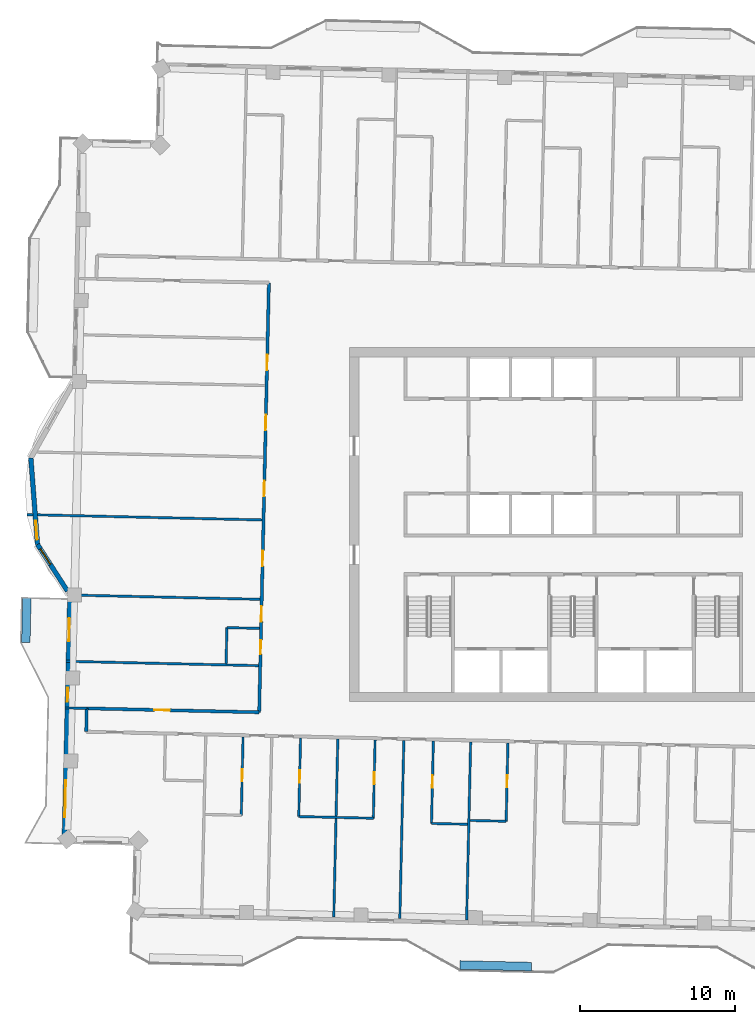
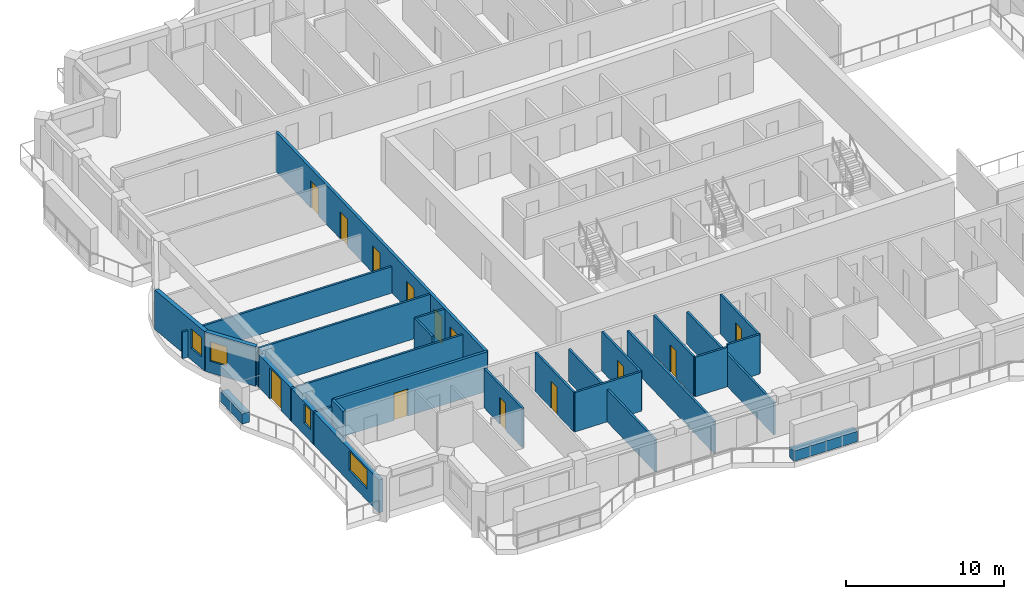
# One storey, part 4 of 15: 25 walls, 13 doors, 4 windows, 17 openings.
"""IFC4 building model written with IfcOpenShell, lengths in metres."""

from ifc_helpers import new_model, si_unit, direction, frame, frame_2d, origin, place, context, subcontext, project, spatial, rectangle, extrude, material, layer, layer_set, type_object, element, fill, save


model = new_model("IFC4")

# Units and contexts
model_context = context("Model", 3, precision=1e-05, world=origin(), true_north=direction((0.0, 1.0)))
body_context = subcontext(model_context, "Body", "Model", "MODEL_VIEW")
ifc_project = project(units=[si_unit("LENGTHUNIT", "METRE"), si_unit("AREAUNIT", "SQUARE_METRE"), si_unit("VOLUMEUNIT", "CUBIC_METRE"), si_unit("PLANEANGLEUNIT", "RADIAN"), si_unit("MASSUNIT", "GRAM", prefix="KILO")], contexts=[model_context])

# Site, building, storey
site_placement = place(None, origin())
site = spatial("IfcSite", under=ifc_project, at=site_placement, CompositionType="ELEMENT")
building_placement = place(site_placement, origin())
building = spatial("IfcBuilding", under=site, at=building_placement, Name="Mangrove Gate Tower", CompositionType="ELEMENT")
storey_placement = place(building_placement, frame((0.0, 0.0, 313.300048828125)))
storey = spatial("IfcBuildingStorey", under=building, at=storey_placement, Name="L80", CompositionType="ELEMENT", Elevation=313.300048828125)

# Wall
ifc_material_1 = material(Name="Gypsum board on steel stud, EI 60", Category="steel")
ifc_layer_1 = layer(ifc_material_1, 0.199951171875)
ifc_layer_set_1 = layer_set([ifc_layer_1], Name="Corridor wall EI 60")
wall_type_1 = type_object("IfcWallType", Name="Corridor wall EI 60", PredefinedType="PARTITIONING", material=ifc_layer_set_1)
wall_1_placement = place(storey_placement, frame((-31.346923828125, -13.3291015625, 0.0), z_axis=(0.0, 0.0, 1.0), x_axis=(0.022617910375, 0.999744182344, 0.0)))
element("IfcWall", 1, at=wall_1_placement, inside=storey, type_object=wall_type_1, Name="WALL-L80-035", PredefinedType="PARTITIONING", context=body_context, shape_type="SweptSolid", body=[
    extrude(rectangle(XDim=1.50048828125, YDim=0.199951171875, at=frame_2d((0.750244140625, 0.0))), origin(), (0.0, 0.0, 1.0), 3.050048828125),
])

# Wall, opening, door
wall_2_placement = place(storey_placement, frame((-31.31298828125, -11.8291015625, 0.0), z_axis=(0.0, 0.0, 1.0), x_axis=(0.999742346277, -0.022698921993, 0.0)))
wall_2 = element("IfcWall", 2, at=wall_2_placement, inside=storey, type_object=wall_type_1, Name="WALL-L80-038", PredefinedType="PARTITIONING", context=body_context, shape_type="SweptSolid", body=[
    extrude(rectangle(XDim=11.099853515625, YDim=0.199951171875, at=frame_2d((5.5498046875, 0.0))), origin(), (0.0, 0.0, 1.0), 3.050048828125),
])
opening_1_placement = place(wall_2_placement, frame((4.35009765625, 0.0, 0.0)))
opening_1 = element("IfcOpeningElement", 3, at=opening_1_placement, cuts=wall_2, Name="Opening AD", PredefinedType="OPENING", context=body_context, shape_type="SweptSolid", body=[
    extrude(rectangle(XDim=1.0, YDim=2.10009765625, at=frame_2d((0.5, 1.050048828125))), frame((0.0, 0.10986328125, 0.0), z_axis=(0.0, -1.0, 0.0), x_axis=(1.0, 0.0, 0.0)), (0.0, 0.0, 1.0), 0.219970703125),
])
ifc_material_2 = material(Name="Timber door leaf", Category="wood")
door_type_1 = type_object("IfcDoorType", Name="Amenity door 1000", OperationType="SINGLE_SWING_LEFT", PredefinedType="DOOR", material=ifc_material_2)
door_1_placement = place(opening_1_placement, origin())
door_1 = element("IfcDoor", 4, at=door_1_placement, inside=storey, type_object=door_type_1, Name="DOOR-L80-STU-c5b", OperationType="SINGLE_SWING_LEFT", OverallHeight=2.10009765625, OverallWidth=1.0, PredefinedType="DOOR", context=body_context, shape_type="SweptSolid", body=[
    extrude(rectangle(XDim=1.0, YDim=2.10009765625, at=frame_2d((0.5, 1.050048828125))), frame((0.0, 0.02490234375, 0.0), z_axis=(0.0, -1.0, 0.0), x_axis=(1.0, 0.0, 0.0)), (0.0, 0.0, 1.0), 0.050048828125),
])
fill(opening_1, door_1)

# Wall, openings, doors
wall_3_placement = place(storey_placement, frame((-20.216064453125, -12.0810546875, 0.0), z_axis=(0.0, 0.0, 1.0), x_axis=(0.02267447203, 0.999742901109, 0.0)))
wall_3 = element("IfcWall", 5, at=wall_3_placement, inside=storey, type_object=wall_type_1, Name="WALL-L80-039", PredefinedType="PARTITIONING", context=body_context, shape_type="SweptSolid", body=[
    extrude(rectangle(XDim=27.650146484375, YDim=0.199951171875, at=frame_2d((13.8251953125, 0.0))), origin(), (0.0, 0.0, 1.0), 3.050048828125),
])
opening_2_placement = place(wall_3_placement, frame((22.02490234375, 0.0, 0.0)))
opening_2 = element("IfcOpeningElement", 6, at=opening_2_placement, cuts=wall_3, Name="Opening AD", PredefinedType="OPENING", context=body_context, shape_type="SweptSolid", body=[
    extrude(rectangle(XDim=1.0, YDim=2.10009765625, at=frame_2d((0.5, 1.050048828125))), frame((0.0, 0.10986328125, 0.0), z_axis=(0.0, -1.0, 0.0), x_axis=(1.0, 0.0, 0.0)), (0.0, 0.0, 1.0), 0.219970703125),
])
opening_3_placement = place(wall_3_placement, frame((18.155029296875, 0.0, 0.0)))
opening_3 = element("IfcOpeningElement", 7, at=opening_3_placement, cuts=wall_3, Name="Opening AD", PredefinedType="OPENING", context=body_context, shape_type="SweptSolid", body=[
    extrude(rectangle(XDim=1.0, YDim=2.10009765625, at=frame_2d((0.5, 1.050048828125))), frame((0.0, 0.10986328125, 0.0), z_axis=(0.0, -1.0, 0.0), x_axis=(1.0, 0.0, 0.0)), (0.0, 0.0, 1.0), 0.219970703125),
])
opening_4_placement = place(wall_3_placement, frame((13.89794921875, 0.0, 0.0)))
opening_4 = element("IfcOpeningElement", 8, at=opening_4_placement, cuts=wall_3, Name="Opening AD", PredefinedType="OPENING", context=body_context, shape_type="SweptSolid", body=[
    extrude(rectangle(XDim=1.0, YDim=2.10009765625, at=frame_2d((0.5, 1.050048828125))), frame((0.0, 0.10986328125, 0.0), z_axis=(0.0, -1.0, 0.0), x_axis=(1.0, 0.0, 0.0)), (0.0, 0.0, 1.0), 0.219970703125),
])
opening_5_placement = place(wall_3_placement, frame((9.405029296875, 0.0, 0.0)))
opening_5 = element("IfcOpeningElement", 9, at=opening_5_placement, cuts=wall_3, Name="Opening AD", PredefinedType="OPENING", context=body_context, shape_type="SweptSolid", body=[
    extrude(rectangle(XDim=1.0, YDim=2.10009765625, at=frame_2d((0.5, 1.050048828125))), frame((0.0, 0.10986328125, 0.0), z_axis=(0.0, -1.0, 0.0), x_axis=(1.0, 0.0, 0.0)), (0.0, 0.0, 1.0), 0.219970703125),
])
opening_6_placement = place(wall_3_placement, frame((5.8369140625, 0.0, 0.0)))
opening_6 = element("IfcOpeningElement", 10, at=opening_6_placement, cuts=wall_3, Name="Opening AD", PredefinedType="OPENING", context=body_context, shape_type="SweptSolid", body=[
    extrude(rectangle(XDim=1.0, YDim=2.10009765625, at=frame_2d((0.5, 1.050048828125))), frame((0.0, 0.10986328125, 0.0), z_axis=(0.0, -1.0, 0.0), x_axis=(1.0, 0.0, 0.0)), (0.0, 0.0, 1.0), 0.219970703125),
])
opening_7_placement = place(wall_3_placement, frame((3.75, 0.0, 0.0)))
opening_7 = element("IfcOpeningElement", 11, at=opening_7_placement, cuts=wall_3, Name="Opening SD", PredefinedType="OPENING", context=body_context, shape_type="SweptSolid", body=[
    extrude(rectangle(XDim=0.89990234375, YDim=2.10009765625, at=frame_2d((0.449951171875, 1.050048828125))), frame((0.0, 0.10986328125, 0.0), z_axis=(0.0, -1.0, 0.0), x_axis=(1.0, 0.0, 0.0)), (0.0, 0.0, 1.0), 0.219970703125),
])
door_2_placement = place(opening_2_placement, origin())
door_2 = element("IfcDoor", 12, at=door_2_placement, inside=storey, type_object=door_type_1, Name="DOOR-L80-STU-c5a", OperationType="SINGLE_SWING_RIGHT", OverallHeight=2.10009765625, OverallWidth=1.0, PredefinedType="DOOR", context=body_context, shape_type="SweptSolid", body=[
    extrude(rectangle(XDim=1.0, YDim=2.10009765625, at=frame_2d((0.5, 1.050048828125))), frame((0.0, 0.02490234375, 0.0), z_axis=(0.0, -1.0, 0.0), x_axis=(1.0, 0.0, 0.0)), (0.0, 0.0, 1.0), 0.050048828125),
])
fill(opening_2, door_2)
door_3_placement = place(opening_3_placement, origin())
door_3 = element("IfcDoor", 13, at=door_3_placement, inside=storey, type_object=door_type_1, Name="DOOR-L80-KIT-c5c", OperationType="SINGLE_SWING_LEFT", OverallHeight=2.10009765625, OverallWidth=1.0, PredefinedType="DOOR", context=body_context, shape_type="SweptSolid", body=[
    extrude(rectangle(XDim=1.0, YDim=2.10009765625, at=frame_2d((0.5, 1.050048828125))), frame((0.0, 0.02490234375, 0.0), z_axis=(0.0, -1.0, 0.0), x_axis=(1.0, 0.0, 0.0)), (0.0, 0.0, 1.0), 0.050048828125),
])
fill(opening_3, door_3)
door_4_placement = place(opening_4_placement, origin())
door_4 = element("IfcDoor", 14, at=door_4_placement, inside=storey, type_object=door_type_1, Name="DOOR-L80-KIT-c5d", OperationType="SINGLE_SWING_RIGHT", OverallHeight=2.10009765625, OverallWidth=1.0, PredefinedType="DOOR", context=body_context, shape_type="SweptSolid", body=[
    extrude(rectangle(XDim=1.0, YDim=2.10009765625, at=frame_2d((0.5, 1.050048828125))), frame((0.0, 0.02490234375, 0.0), z_axis=(0.0, -1.0, 0.0), x_axis=(1.0, 0.0, 0.0)), (0.0, 0.0, 1.0), 0.050048828125),
])
fill(opening_4, door_4)
door_5_placement = place(opening_5_placement, origin())
door_5 = element("IfcDoor", 15, at=door_5_placement, inside=storey, type_object=door_type_1, Name="DOOR-L80-LNG-c5a", OperationType="SINGLE_SWING_LEFT", OverallHeight=2.10009765625, OverallWidth=1.0, PredefinedType="DOOR", context=body_context, shape_type="SweptSolid", body=[
    extrude(rectangle(XDim=1.0, YDim=2.10009765625, at=frame_2d((0.5, 1.050048828125))), frame((0.0, 0.02490234375, 0.0), z_axis=(0.0, -1.0, 0.0), x_axis=(1.0, 0.0, 0.0)), (0.0, 0.0, 1.0), 0.050048828125),
])
fill(opening_5, door_5)
door_6_placement = place(opening_6_placement, origin())
door_6 = element("IfcDoor", 16, at=door_6_placement, inside=storey, type_object=door_type_1, Name="DOOR-L80-KIT-c5e", OperationType="SINGLE_SWING_RIGHT", OverallHeight=2.10009765625, OverallWidth=1.0, PredefinedType="DOOR", context=body_context, shape_type="SweptSolid", body=[
    extrude(rectangle(XDim=1.0, YDim=2.10009765625, at=frame_2d((0.5, 1.050048828125))), frame((0.0, 0.02490234375, 0.0), z_axis=(0.0, -1.0, 0.0), x_axis=(1.0, 0.0, 0.0)), (0.0, 0.0, 1.0), 0.050048828125),
])
fill(opening_6, door_6)
ifc_material_3 = material(Name="Timber door leaf", Category="wood")
door_type_2 = type_object("IfcDoorType", Name="Service room door 900", OperationType="SINGLE_SWING_LEFT", PredefinedType="DOOR", material=ifc_material_3)
door_7_placement = place(opening_7_placement, origin())
door_7 = element("IfcDoor", 17, at=door_7_placement, inside=storey, type_object=door_type_2, Name="DOOR-L80-LIN-c5a", OperationType="SINGLE_SWING_LEFT", OverallHeight=2.10009765625, OverallWidth=0.89990234375, PredefinedType="DOOR", context=body_context, shape_type="SweptSolid", body=[
    extrude(rectangle(XDim=0.89990234375, YDim=2.10009765625, at=frame_2d((0.449951171875, 1.050048828125))), frame((0.0, 0.02490234375, 0.0), z_axis=(0.0, -1.0, 0.0), x_axis=(1.0, 0.0, 0.0)), (0.0, 0.0, 1.0), 0.050048828125),
])
fill(opening_7, door_7)

# Wall, opening, window
ifc_material_4 = material(Name="Limestone", Category="masonry")
ifc_layer_2 = layer(ifc_material_4, 0.0400390625, Name="Limestone cladding")
ifc_material_5 = material(Name="Ventilated air gap")
ifc_layer_3 = layer(ifc_material_5, 0.0400390625, Name="Ventilated cavity")
ifc_material_6 = material(Name="Mineral wool insulation")
ifc_layer_4 = layer(ifc_material_6, 0.06005859375, Name="Insulation")
ifc_material_7 = material(Name="Breather membrane")
ifc_layer_5 = layer(ifc_material_7, 0.001953125, Name="Breather membrane")
ifc_material_8 = material(Name="Concrete C20/25 blockwork", Category="masonry")
ifc_layer_6 = layer(ifc_material_8, 0.14990234375, Name="Blockwork backing wall")
ifc_material_9 = material(Name="Gypsum plaster")
ifc_layer_7 = layer(ifc_material_9, 0.008056640625, Name="Internal plaster")
ifc_layer_set_2 = layer_set([ifc_layer_2, ifc_layer_3, ifc_layer_4, ifc_layer_5, ifc_layer_6, ifc_layer_7], Name="External wall 300 limestone cladding")
wall_type_2 = type_object("IfcWallType", Name="External wall 300 limestone cladding", PredefinedType="SOLIDWALL", material=ifc_layer_set_2)
wall_4_placement = place(storey_placement, frame((-34.910888671875, 4.280029296875, 0.0), z_axis=(0.0, 0.0, 1.0), x_axis=(0.077135284219, -0.997020635658, 0.0)))
wall_4 = element("IfcWall", 18, at=wall_4_placement, inside=storey, type_object=wall_type_2, Name="WALL-L80-W9f2", PredefinedType="SOLIDWALL", context=body_context, shape_type="SweptSolid", body=[
    extrude(rectangle(XDim=5.57373046875, YDim=0.300048828125, at=frame_2d((2.786865234375, 0.0))), origin(), (0.0, 0.0, 1.0), 3.050048828125),
])
opening_8_placement = place(wall_4_placement, frame((4.05810546875, 0.0, 0.89990234375)))
opening_8 = element("IfcOpeningElement", 19, at=opening_8_placement, cuts=wall_4, Name="Opening W1", PredefinedType="OPENING", context=body_context, shape_type="SweptSolid", body=[
    extrude(rectangle(XDim=1.199951171875, YDim=1.5, at=frame_2d((0.60009765625, 0.75))), frame((0.0, 0.159912109375, 0.0), z_axis=(0.0, -1.0, 0.0), x_axis=(1.0, 0.0, 0.0)), (0.0, 0.0, 1.0), 0.320068359375),
])
ifc_material_10 = material(Name="Aluminium frame with double-glazed low-e glass", Category="aluminium")
window_type_1 = type_object("IfcWindowType", Name="Side lite 1200x1500", PartitioningType="SINGLE_PANEL", PredefinedType="WINDOW", material=ifc_material_10)
window_1_placement = place(opening_8_placement, origin())
window_1 = element("IfcWindow", 20, at=window_1_placement, inside=storey, type_object=window_type_1, Name="WIN-L80-W9f2", OverallHeight=1.5, OverallWidth=1.199951171875, PartitioningType="SINGLE_PANEL", PredefinedType="WINDOW", context=body_context, shape_type="SweptSolid", body=[
    extrude(rectangle(XDim=1.199951171875, YDim=1.5, at=frame_2d((0.60009765625, 0.75))), frame((0.0, 0.030029296875, 0.0), z_axis=(0.0, -1.0, 0.0), x_axis=(1.0, 0.0, 0.0)), (0.0, 0.0, 1.0), 0.06005859375),
])
fill(opening_8, window_1)

wall_5_placement = place(storey_placement, frame((-34.48095703125, -1.277099609375, 0.0), z_axis=(0.0, 0.0, 1.0), x_axis=(0.540460234606, -0.841369558999, 0.0)))
wall_5 = element("IfcWall", 21, at=wall_5_placement, inside=storey, type_object=wall_type_2, Name="WALL-L80-W9f3", PredefinedType="SOLIDWALL", context=body_context, shape_type="SweptSolid", body=[
    extrude(rectangle(XDim=3.569091796875, YDim=0.300048828125, at=frame_2d((1.78466796875, 0.0))), origin(), (0.0, 0.0, 1.0), 3.050048828125),
])
opening_9_placement = place(wall_5_placement, frame((0.337890625, 0.0, 0.89990234375)))
opening_9 = element("IfcOpeningElement", 22, at=opening_9_placement, cuts=wall_5, Name="Opening W1", PredefinedType="OPENING", context=body_context, shape_type="SweptSolid", body=[
    extrude(rectangle(XDim=1.199951171875, YDim=1.5, at=frame_2d((0.60009765625, 0.75))), frame((0.0, 0.159912109375, 0.0), z_axis=(0.0, -1.0, 0.0), x_axis=(1.0, 0.0, 0.0)), (0.0, 0.0, 1.0), 0.320068359375),
])
window_2_placement = place(opening_9_placement, origin())
window_2 = element("IfcWindow", 23, at=window_2_placement, inside=storey, type_object=window_type_1, Name="WIN-L80-W9f3", OverallHeight=1.5, OverallWidth=1.199951171875, PartitioningType="SINGLE_PANEL", PredefinedType="WINDOW", context=body_context, shape_type="SweptSolid", body=[
    extrude(rectangle(XDim=1.199951171875, YDim=1.5, at=frame_2d((0.60009765625, 0.75))), frame((0.0, 0.030029296875, 0.0), z_axis=(0.0, -1.0, 0.0), x_axis=(1.0, 0.0, 0.0)), (0.0, 0.0, 1.0), 0.06005859375),
])
fill(opening_9, window_2)

# Wall, openings, door, windows
wall_6_placement = place(storey_placement, frame((-32.387939453125, -4.10400390625, 0.0), z_axis=(0.0, 0.0, 1.0), x_axis=(-0.02270779533, -0.999742144771, 0.0)))
wall_6 = element("IfcWall", 24, at=wall_6_placement, inside=storey, type_object=wall_type_2, Name="WALL-L80-W10s1", PredefinedType="SOLIDWALL", context=body_context, shape_type="SweptSolid", body=[
    extrude(rectangle(XDim=16.299072265625, YDim=0.300048828125, at=frame_2d((8.1494140625, 0.0))), origin(), (0.0, 0.0, 1.0), 2.550048828125),
])
opening_10_placement = place(wall_6_placement, frame((1.912109375, 0.0, 0.0)))
opening_10 = element("IfcOpeningElement", 25, at=opening_10_placement, cuts=wall_6, Name="Opening BD1", PredefinedType="OPENING", context=body_context, shape_type="SweptSolid", body=[
    extrude(rectangle(XDim=1.5, YDim=2.39990234375, at=frame_2d((0.75, 1.199951171875))), frame((0.0, 0.159912109375, 0.0), z_axis=(0.0, -1.0, 0.0), x_axis=(1.0, 0.0, 0.0)), (0.0, 0.0, 1.0), 0.320068359375),
])
opening_11_placement = place(wall_6_placement, frame((6.407958984375, 0.0, 0.89990234375)))
opening_11 = element("IfcOpeningElement", 26, at=opening_11_placement, cuts=wall_6, Name="Opening W5", PredefinedType="OPENING", context=body_context, shape_type="SweptSolid", body=[
    extrude(rectangle(XDim=0.89990234375, YDim=1.5, at=frame_2d((0.449951171875, 0.75))), frame((0.0, 0.159912109375, 0.0), z_axis=(0.0, -1.0, 0.0), x_axis=(1.0, 0.0, 0.0)), (0.0, 0.0, 1.0), 0.320068359375),
])
opening_12_placement = place(wall_6_placement, frame((12.339111328125, 0.0, 0.89990234375)))
opening_12 = element("IfcOpeningElement", 27, at=opening_12_placement, cuts=wall_6, Name="Opening W2", PredefinedType="OPENING", context=body_context, shape_type="SweptSolid", body=[
    extrude(rectangle(XDim=2.39990234375, YDim=1.5, at=frame_2d((1.199951171875, 0.75))), frame((0.0, 0.159912109375, 0.0), z_axis=(0.0, -1.0, 0.0), x_axis=(1.0, 0.0, 0.0)), (0.0, 0.0, 1.0), 0.320068359375),
])
ifc_material_11 = material(Name="Aluminium frame with laminated clear glass", Category="aluminium")
door_type_3 = type_object("IfcDoorType", Name="Balcony sliding door 1500x2400", OperationType="SLIDING_TO_LEFT", PredefinedType="DOOR", material=ifc_material_11)
door_8_placement = place(opening_10_placement, origin())
door_8 = element("IfcDoor", 28, at=door_8_placement, inside=storey, type_object=door_type_3, Name="DOOR-L80-W10-1", OperationType="SLIDING_TO_LEFT", OverallHeight=2.39990234375, OverallWidth=1.5, PredefinedType="DOOR", context=body_context, shape_type="SweptSolid", body=[
    extrude(rectangle(XDim=1.5, YDim=2.39990234375, at=frame_2d((0.75, 1.199951171875))), frame((0.0, 0.02490234375, 0.0), z_axis=(0.0, -1.0, 0.0), x_axis=(1.0, 0.0, 0.0)), (0.0, 0.0, 1.0), 0.050048828125),
])
fill(opening_10, door_8)
ifc_material_12 = material(Name="Aluminium frame with double-glazed low-e glass", Category="aluminium")
window_type_2 = type_object("IfcWindowType", Name="Corner room window 2400x1500", PartitioningType="DOUBLE_PANEL_VERTICAL", PredefinedType="WINDOW", material=ifc_material_12)
window_3_placement = place(opening_12_placement, origin())
window_3 = element("IfcWindow", 29, at=window_3_placement, inside=storey, type_object=window_type_2, Name="WIN-L80-W10-3", OverallHeight=1.5, OverallWidth=2.39990234375, PartitioningType="DOUBLE_PANEL_VERTICAL", PredefinedType="WINDOW", context=body_context, shape_type="SweptSolid", body=[
    extrude(rectangle(XDim=2.39990234375, YDim=1.5, at=frame_2d((1.199951171875, 0.75))), frame((0.0, 0.030029296875, 0.0), z_axis=(0.0, -1.0, 0.0), x_axis=(1.0, 0.0, 0.0)), (0.0, 0.0, 1.0), 0.06005859375),
])
fill(opening_12, window_3)
ifc_material_13 = material(Name="Aluminium frame with double-glazed low-e glass", Category="aluminium")
window_type_3 = type_object("IfcWindowType", Name="Narrow window 900x1500", PartitioningType="SINGLE_PANEL", PredefinedType="WINDOW", material=ifc_material_13)
window_4_placement = place(opening_11_placement, origin())
window_4 = element("IfcWindow", 30, at=window_4_placement, inside=storey, type_object=window_type_3, Name="WIN-L80-W10-2", OverallHeight=1.5, OverallWidth=0.89990234375, PartitioningType="SINGLE_PANEL", PredefinedType="WINDOW", context=body_context, shape_type="SweptSolid", body=[
    extrude(rectangle(XDim=0.89990234375, YDim=1.5, at=frame_2d((0.449951171875, 0.75))), frame((0.0, 0.030029296875, 0.0), z_axis=(0.0, -1.0, 0.0), x_axis=(1.0, 0.0, 0.0)), (0.0, 0.0, 1.0), 0.06005859375),
])
fill(opening_11, window_4)

# Walls
ifc_material_14 = material(Name="Gypsum board on steel stud, EI 60", Category="steel")
ifc_layer_8 = layer(ifc_material_14, 0.14990234375)
ifc_layer_set_3 = layer_set([ifc_layer_8], Name="Party wall 150 EI 60")
wall_type_3 = type_object("IfcWallType", Name="Party wall 150 EI 60", PredefinedType="PARTITIONING", material=ifc_layer_set_3)
wall_7_placement = place(storey_placement, frame((-15.4140625, -25.243896484375, 0.0), z_axis=(0.0, 0.0, 1.0), x_axis=(0.022706391805, 0.999742176649, 0.0)))
element("IfcWall", 31, at=wall_7_placement, inside=storey, type_object=wall_type_3, Name="WALL-L80-003", PredefinedType="PARTITIONING", context=body_context, shape_type="SweptSolid", body=[
    extrude(rectangle(XDim=11.450927734375, YDim=0.14990234375, at=frame_2d((5.7255859375, 0.0))), origin(), (0.0, 0.0, 1.0), 2.5),
])
wall_8_placement = place(storey_placement, frame((-11.1650390625, -25.340087890625, 0.0), z_axis=(0.0, 0.0, 1.0), x_axis=(0.022708327922, 0.999742132674, 0.0)))
element("IfcWall", 32, at=wall_8_placement, inside=storey, type_object=wall_type_3, Name="WALL-L80-004", PredefinedType="PARTITIONING", context=body_context, shape_type="SweptSolid", body=[
    extrude(rectangle(XDim=11.449951171875, YDim=0.14990234375, at=frame_2d((5.72509765625, 0.0))), origin(), (0.0, 0.0, 1.0), 2.5),
])
wall_9_placement = place(storey_placement, frame((-6.865966796875, -25.43798828125, 0.0), z_axis=(0.0, 0.0, 1.0), x_axis=(0.022706391805, 0.999742176649, 0.0)))
element("IfcWall", 33, at=wall_9_placement, inside=storey, type_object=wall_type_3, Name="WALL-L80-005", PredefinedType="PARTITIONING", context=body_context, shape_type="SweptSolid", body=[
    extrude(rectangle(XDim=11.450927734375, YDim=0.14990234375, at=frame_2d((5.7255859375, 0.0))), origin(), (0.0, 0.0, 1.0), 2.5),
])
wall_10_placement = place(storey_placement, frame((-9.1259765625, -19.235107421875, 0.0), z_axis=(0.0, 0.0, 1.0), x_axis=(0.999749954681, -0.022361308448, 0.0)))
element("IfcWall", 34, at=wall_10_placement, inside=storey, type_object=wall_type_3, Name="WALL-L80-012", PredefinedType="PARTITIONING", context=body_context, shape_type="SweptSolid", body=[
    extrude(rectangle(XDim=2.325439453125, YDim=0.14990234375, at=frame_2d((1.16259765625, 0.0))), origin(), (0.0, 0.0, 1.0), 3.050048828125),
])

# Wall, opening, door
wall_11_placement = place(storey_placement, frame((-9.1259765625, -19.235107421875, 0.0), z_axis=(0.0, 0.0, 1.0), x_axis=(0.022615729912, 0.999744231672, 0.0)))
wall_11 = element("IfcWall", 35, at=wall_11_placement, inside=storey, type_object=wall_type_3, Name="WALL-L80-013", PredefinedType="PARTITIONING", context=body_context, shape_type="SweptSolid", body=[
    extrude(rectangle(XDim=5.300537109375, YDim=0.14990234375, at=frame_2d((2.650390625, 0.0))), origin(), (0.0, 0.0, 1.0), 3.050048828125),
])
opening_13_placement = place(wall_11_placement, frame((2.300048828125, 0.0, 0.0)))
opening_13 = element("IfcOpeningElement", 36, at=opening_13_placement, cuts=wall_11, Name="Opening ED", PredefinedType="OPENING", context=body_context, shape_type="SweptSolid", body=[
    extrude(rectangle(XDim=0.800048828125, YDim=2.10009765625, at=frame_2d((0.39990234375, 1.050048828125))), frame((0.0, 0.0849609375, 0.0), z_axis=(0.0, -1.0, 0.0), x_axis=(1.0, 0.0, 0.0)), (0.0, 0.0, 1.0), 0.169921875),
])
ifc_material_15 = material(Name="Timber door leaf", Category="wood")
door_type_4 = type_object("IfcDoorType", Name="En-suite door 800", OperationType="SINGLE_SWING_LEFT", PredefinedType="DOOR", material=ifc_material_15)
door_9_placement = place(opening_13_placement, origin())
door_9 = element("IfcDoor", 37, at=door_9_placement, inside=storey, type_object=door_type_4, Name="DOOR-L80-ENS-c104", OperationType="SINGLE_SWING_RIGHT", OverallHeight=2.10009765625, OverallWidth=0.800048828125, PredefinedType="DOOR", context=body_context, shape_type="SweptSolid", body=[
    extrude(rectangle(XDim=0.800048828125, YDim=2.10009765625, at=frame_2d((0.39990234375, 1.050048828125))), frame((0.0, 0.02490234375, 0.0), z_axis=(0.0, -1.0, 0.0), x_axis=(1.0, 0.0, 0.0)), (0.0, 0.0, 1.0), 0.050048828125),
])
fill(opening_13, door_9)

wall_12_placement = place(storey_placement, frame((-21.366943359375, -18.70703125, 0.0), z_axis=(0.0, 0.0, 1.0), x_axis=(0.022768623305, 0.999740761294, 0.0)))
wall_12 = element("IfcWall", 38, at=wall_12_placement, inside=storey, type_object=wall_type_3, Name="WALL-L80-017", PredefinedType="PARTITIONING", context=body_context, shape_type="SweptSolid", body=[
    extrude(rectangle(XDim=5.05029296875, YDim=0.14990234375, at=frame_2d((2.525146484375, 0.0))), origin(), (0.0, 0.0, 1.0), 3.050048828125),
])
opening_14_placement = place(wall_12_placement, frame((2.175048828125, 0.0, 0.0)))
opening_14 = element("IfcOpeningElement", 39, at=opening_14_placement, cuts=wall_12, Name="Opening ED", PredefinedType="OPENING", context=body_context, shape_type="SweptSolid", body=[
    extrude(rectangle(XDim=0.800048828125, YDim=2.10009765625, at=frame_2d((0.39990234375, 1.050048828125))), frame((0.0, 0.0849609375, 0.0), z_axis=(0.0, -1.0, 0.0), x_axis=(1.0, 0.0, 0.0)), (0.0, 0.0, 1.0), 0.169921875),
])
door_10_placement = place(opening_14_placement, origin())
door_10 = element("IfcDoor", 40, at=door_10_placement, inside=storey, type_object=door_type_4, Name="DOOR-L80-ENS-c101", OperationType="SINGLE_SWING_LEFT", OverallHeight=2.10009765625, OverallWidth=0.800048828125, PredefinedType="DOOR", context=body_context, shape_type="SweptSolid", body=[
    extrude(rectangle(XDim=0.800048828125, YDim=2.10009765625, at=frame_2d((0.39990234375, 1.050048828125))), frame((0.0, 0.02490234375, 0.0), z_axis=(0.0, -1.0, 0.0), x_axis=(1.0, 0.0, 0.0)), (0.0, 0.0, 1.0), 0.050048828125),
])
fill(opening_14, door_10)

# Wall
wall_13_placement = place(storey_placement, frame((-17.66796875, -18.791015625, 0.0), z_axis=(0.0, 0.0, 1.0), x_axis=(0.999742701292, -0.022683280499, 0.0)))
element("IfcWall", 41, at=wall_13_placement, inside=storey, type_object=wall_type_3, Name="WALL-L80-018", PredefinedType="PARTITIONING", context=body_context, shape_type="SweptSolid", body=[
    extrude(rectangle(XDim=4.80029296875, YDim=0.14990234375, at=frame_2d((2.400146484375, 0.0))), origin(), (0.0, 0.0, 1.0), 3.050048828125),
])

# Wall, opening, door
wall_14_placement = place(storey_placement, frame((-17.66796875, -18.791015625, 0.0), z_axis=(0.0, 0.0, 1.0), x_axis=(0.022768623305, 0.999740761294, 0.0)))
wall_14 = element("IfcWall", 42, at=wall_14_placement, inside=storey, type_object=wall_type_3, Name="WALL-L80-019", PredefinedType="PARTITIONING", context=body_context, shape_type="SweptSolid", body=[
    extrude(rectangle(XDim=5.05029296875, YDim=0.14990234375, at=frame_2d((2.525146484375, 0.0))), origin(), (0.0, 0.0, 1.0), 3.050048828125),
])
opening_15_placement = place(wall_14_placement, frame((2.175048828125, 0.0, 0.0)))
opening_15 = element("IfcOpeningElement", 43, at=opening_15_placement, cuts=wall_14, Name="Opening ED", PredefinedType="OPENING", context=body_context, shape_type="SweptSolid", body=[
    extrude(rectangle(XDim=0.800048828125, YDim=2.10009765625, at=frame_2d((0.39990234375, 1.050048828125))), frame((0.0, 0.0849609375, 0.0), z_axis=(0.0, -1.0, 0.0), x_axis=(1.0, 0.0, 0.0)), (0.0, 0.0, 1.0), 0.169921875),
])
door_11_placement = place(opening_15_placement, origin())
door_11 = element("IfcDoor", 44, at=door_11_placement, inside=storey, type_object=door_type_4, Name="DOOR-L80-ENS-c102", OperationType="SINGLE_SWING_RIGHT", OverallHeight=2.10009765625, OverallWidth=0.800048828125, PredefinedType="DOOR", context=body_context, shape_type="SweptSolid", body=[
    extrude(rectangle(XDim=0.800048828125, YDim=2.10009765625, at=frame_2d((0.39990234375, 1.050048828125))), frame((0.0, 0.02490234375, 0.0), z_axis=(0.0, -1.0, 0.0), x_axis=(1.0, 0.0, 0.0)), (0.0, 0.0, 1.0), 0.050048828125),
])
fill(opening_15, door_11)

wall_15_placement = place(storey_placement, frame((-12.868896484375, -18.89990234375, 0.0), z_axis=(0.0, 0.0, 1.0), x_axis=(0.022576449265, 0.999745119487, 0.0)))
wall_15 = element("IfcWall", 45, at=wall_15_placement, inside=storey, type_object=wall_type_3, Name="WALL-L80-020", PredefinedType="PARTITIONING", context=body_context, shape_type="SweptSolid", body=[
    extrude(rectangle(XDim=5.050048828125, YDim=0.14990234375, at=frame_2d((2.52490234375, 0.0))), origin(), (0.0, 0.0, 1.0), 3.050048828125),
])
opening_16_placement = place(wall_15_placement, frame((2.175048828125, 0.0, 0.0)))
opening_16 = element("IfcOpeningElement", 46, at=opening_16_placement, cuts=wall_15, Name="Opening ED", PredefinedType="OPENING", context=body_context, shape_type="SweptSolid", body=[
    extrude(rectangle(XDim=0.800048828125, YDim=2.10009765625, at=frame_2d((0.39990234375, 1.050048828125))), frame((0.0, 0.0849609375, 0.0), z_axis=(0.0, -1.0, 0.0), x_axis=(1.0, 0.0, 0.0)), (0.0, 0.0, 1.0), 0.169921875),
])
door_12_placement = place(opening_16_placement, origin())
door_12 = element("IfcDoor", 47, at=door_12_placement, inside=storey, type_object=door_type_4, Name="DOOR-L80-ENS-c103", OperationType="SINGLE_SWING_LEFT", OverallHeight=2.10009765625, OverallWidth=0.800048828125, PredefinedType="DOOR", context=body_context, shape_type="SweptSolid", body=[
    extrude(rectangle(XDim=0.800048828125, YDim=2.10009765625, at=frame_2d((0.39990234375, 1.050048828125))), frame((0.0, 0.02490234375, 0.0), z_axis=(0.0, -1.0, 0.0), x_axis=(1.0, 0.0, 0.0)), (0.0, 0.0, 1.0), 0.050048828125),
])
fill(opening_16, door_12)

# Wall
wall_16_placement = place(storey_placement, frame((-6.64599609375, -19.041015625, 0.0), z_axis=(0.0, 0.0, 1.0), x_axis=(0.999740478815, -0.022781023197, 0.0)))
element("IfcWall", 48, at=wall_16_placement, inside=storey, type_object=wall_type_3, Name="WALL-L80-021", PredefinedType="PARTITIONING", context=body_context, shape_type="SweptSolid", body=[
    extrude(rectangle(XDim=2.325439453125, YDim=0.14990234375, at=frame_2d((1.16259765625, 0.0))), origin(), (0.0, 0.0, 1.0), 3.050048828125),
])

# Wall, opening, door
wall_17_placement = place(storey_placement, frame((-4.321044921875, -19.093994140625, 0.0), z_axis=(0.0, 0.0, 1.0), x_axis=(0.02257535817, 0.999745144126, 0.0)))
wall_17 = element("IfcWall", 49, at=wall_17_placement, inside=storey, type_object=wall_type_3, Name="WALL-L80-022", PredefinedType="PARTITIONING", context=body_context, shape_type="SweptSolid", body=[
    extrude(rectangle(XDim=5.05029296875, YDim=0.14990234375, at=frame_2d((2.525146484375, 0.0))), origin(), (0.0, 0.0, 1.0), 3.050048828125),
])
opening_17_placement = place(wall_17_placement, frame((2.175048828125, 0.0, 0.0)))
opening_17 = element("IfcOpeningElement", 50, at=opening_17_placement, cuts=wall_17, Name="Opening ED", PredefinedType="OPENING", context=body_context, shape_type="SweptSolid", body=[
    extrude(rectangle(XDim=0.800048828125, YDim=2.10009765625, at=frame_2d((0.39990234375, 1.050048828125))), frame((0.0, 0.0849609375, 0.0), z_axis=(0.0, -1.0, 0.0), x_axis=(1.0, 0.0, 0.0)), (0.0, 0.0, 1.0), 0.169921875),
])
door_13_placement = place(opening_17_placement, origin())
door_13 = element("IfcDoor", 51, at=door_13_placement, inside=storey, type_object=door_type_4, Name="DOOR-L80-ENS-c205", OperationType="SINGLE_SWING_LEFT", OverallHeight=2.10009765625, OverallWidth=0.800048828125, PredefinedType="DOOR", context=body_context, shape_type="SweptSolid", body=[
    extrude(rectangle(XDim=0.800048828125, YDim=2.10009765625, at=frame_2d((0.39990234375, 1.050048828125))), frame((0.0, 0.02490234375, 0.0), z_axis=(0.0, -1.0, 0.0), x_axis=(1.0, 0.0, 0.0)), (0.0, 0.0, 1.0), 0.050048828125),
])
fill(opening_17, door_13)

# Walls
wall_18_placement = place(storey_placement, frame((-32.712890625, -11.798095703125, 0.0), z_axis=(0.0, 0.0, 1.0), x_axis=(0.999756172383, -0.022081571112, 0.0)))
element("IfcWall", 52, at=wall_18_placement, inside=storey, type_object=wall_type_3, Name="WALL-L80-037", PredefinedType="PARTITIONING", context=body_context, shape_type="SweptSolid", body=[
    extrude(rectangle(XDim=1.404052734375, YDim=0.14990234375, at=frame_2d((0.7021484375, 0.0))), origin(), (0.0, 0.0, 1.0), 2.550048828125),
])
wall_19_placement = place(storey_placement, frame((-32.64501953125, -8.798095703125, 0.0), z_axis=(0.0, 0.0, 1.0), x_axis=(0.999741408463, -0.022740189192, 0.0)))
element("IfcWall", 53, at=wall_19_placement, inside=storey, type_object=wall_type_3, Name="WALL-L80-043", PredefinedType="PARTITIONING", context=body_context, shape_type="SweptSolid", body=[
    extrude(rectangle(XDim=12.400146484375, YDim=0.14990234375, at=frame_2d((6.2001953125, 0.0))), origin(), (0.0, 0.0, 1.0), 2.550048828125),
])
wall_20_placement = place(storey_placement, frame((-22.345947265625, -8.95703125, 0.0), z_axis=(0.0, 0.0, 1.0), x_axis=(0.02279059109, 0.999740260747, 0.0)))
element("IfcWall", 54, at=wall_20_placement, inside=storey, type_object=wall_type_3, Name="WALL-L80-044", PredefinedType="PARTITIONING", context=body_context, shape_type="SweptSolid", body=[
    extrude(rectangle(XDim=2.324462890625, YDim=0.14990234375, at=frame_2d((1.162109375, 0.0))), origin(), (0.0, 0.0, 1.0), 3.050048828125),
])
wall_21_placement = place(storey_placement, frame((-22.29296875, -6.633056640625, 0.0), z_axis=(0.0, 0.0, 1.0), x_axis=(0.999750703499, -0.022327804475, 0.0)))
element("IfcWall", 55, at=wall_21_placement, inside=storey, type_object=wall_type_3, Name="WALL-L80-045", PredefinedType="PARTITIONING", context=body_context, shape_type="SweptSolid", body=[
    extrude(rectangle(XDim=2.099365234375, YDim=0.14990234375, at=frame_2d((1.0498046875, 0.0))), origin(), (0.0, 0.0, 1.0), 3.050048828125),
])
wall_22_placement = place(storey_placement, frame((-32.548095703125, -4.529052734375, 0.0), z_axis=(0.0, 0.0, 1.0), x_axis=(0.999741418644, -0.022739741597, 0.0)))
element("IfcWall", 56, at=wall_22_placement, inside=storey, type_object=wall_type_3, Name="WALL-L80-046", PredefinedType="PARTITIONING", context=body_context, shape_type="SweptSolid", body=[
    extrude(rectangle(XDim=12.400390625, YDim=0.14990234375, at=frame_2d((6.2001953125, 0.0))), origin(), (0.0, 0.0, 1.0), 3.050048828125),
])
wall_23_placement = place(storey_placement, frame((-35.154052734375, 0.64111328125, 0.0), z_axis=(0.0, 0.0, 1.0), x_axis=(0.99974273487, -0.022681800518, 0.0)))
element("IfcWall", 57, at=wall_23_placement, inside=storey, type_object=wall_type_3, Name="WALL-L80-047", PredefinedType="PARTITIONING", context=body_context, shape_type="SweptSolid", body=[
    extrude(rectangle(XDim=15.123046875, YDim=0.14990234375, at=frame_2d((7.5615234375, 0.0))), origin(), (0.0, 0.0, 1.0), 2.050048828125),
])
ifc_material_16 = material(Name="Concrete C32/40", Category="concrete")
ifc_layer_9 = layer(ifc_material_16, 0.199951171875, Name="Planter trough wall")
ifc_material_17 = material(Name="Bituminous waterproofing membrane")
ifc_layer_10 = layer(ifc_material_17, 0.0048828125, Name="Waterproofing")
ifc_material_18 = material(Name="Drainage board and gravel")
ifc_layer_11 = layer(ifc_material_18, 0.044921875, Name="Drainage layer")
ifc_material_19 = material(Name="Planting soil")
ifc_layer_12 = layer(ifc_material_19, 0.300048828125, Name="Growing medium")
ifc_layer_set_4 = layer_set([ifc_layer_9, ifc_layer_10, ifc_layer_11, ifc_layer_12], Name="Planter wall 550 C32/40")
wall_type_4 = type_object("IfcWallType", Name="Planter wall 550 C32/40", PredefinedType="USERDEFINED", material=ifc_layer_set_4)
wall_24_placement = place(storey_placement, frame((-35.23291015625, -7.589111328125, 0.0), z_axis=(0.0, 0.0, 1.0), x_axis=(0.022590224177, 0.999744808324, 0.0)))
element("IfcWall", 58, at=wall_24_placement, inside=storey, type_object=wall_type_4, Name="PLANTER L80 W1.1", ObjectType="PLANTER", PredefinedType="USERDEFINED", context=body_context, shape_type="SweptSolid", body=[
    extrude(rectangle(XDim=2.874755859375, YDim=0.550048828125, at=frame_2d((1.4375, 0.0))), origin(), (0.0, 0.0, 1.0), 0.800048828125),
])
wall_25_placement = place(storey_placement, frame((-7.281982421875, -28.343994140625, 0.0), z_axis=(0.0, 0.0, 1.0), x_axis=(0.999744377441, -0.022609285172, 0.0)))
element("IfcWall", 59, at=wall_25_placement, inside=storey, type_object=wall_type_4, Name="PLANTER L80 S0.2", ObjectType="PLANTER", PredefinedType="USERDEFINED", context=body_context, shape_type="SweptSolid", body=[
    extrude(rectangle(XDim=4.60009765625, YDim=0.550048828125, at=frame_2d((2.300048828125, 0.0))), origin(), (0.0, 0.0, 1.0), 0.800048828125),
])

save(model, "model.ifc")
